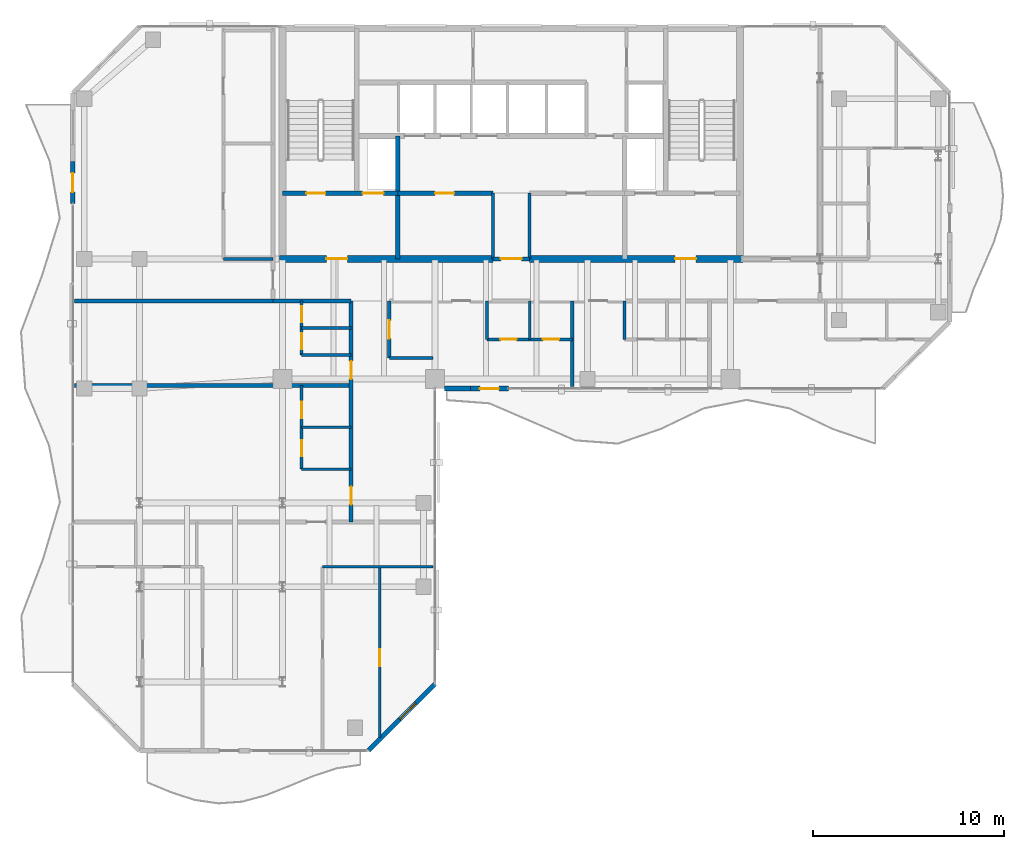
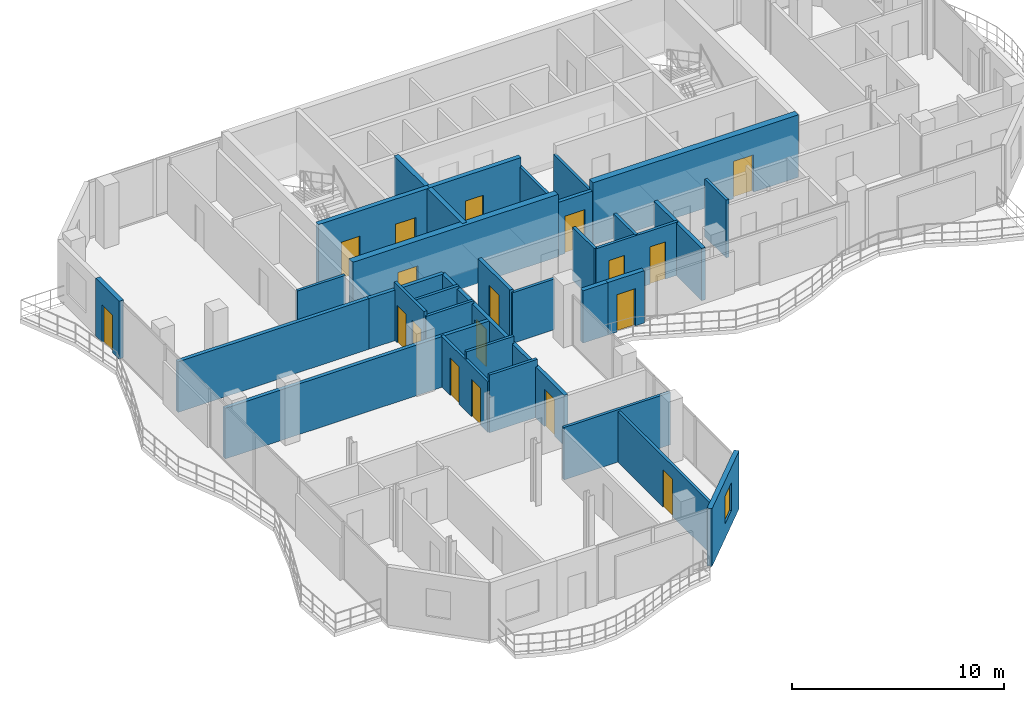
# One storey, part 18 of 23: 32 walls, 18 doors, 1 window, 19 openings.
"""IFC4 building model written with IfcOpenShell, lengths in metres."""

from ifc_helpers import new_model, si_unit, direction, frame, frame_2d, origin, place, context, subcontext, project, spatial, rectangle, extrude, material, layer, layer_set, type_object, element, fill, save


model = new_model("IFC4")

# Units and contexts
model_context = context("Model", 3, precision=1e-05, world=origin(), true_north=direction((0.0, 1.0)))
body_context = subcontext(model_context, "Body", "Model", "MODEL_VIEW")
ifc_project = project(units=[si_unit("LENGTHUNIT", "METRE"), si_unit("AREAUNIT", "SQUARE_METRE"), si_unit("VOLUMEUNIT", "CUBIC_METRE"), si_unit("PLANEANGLEUNIT", "RADIAN"), si_unit("MASSUNIT", "GRAM", prefix="KILO")], contexts=[model_context])

# Site, building, storey
site_placement = place(None, origin())
site = spatial("IfcSite", under=ifc_project, at=site_placement, CompositionType="ELEMENT")
building_placement = place(site_placement, origin())
building = spatial("IfcBuilding", under=site, at=building_placement, Name="Catumbela Crestline Tower", CompositionType="ELEMENT")
storey_placement = place(building_placement, frame((0.0, 0.0, 179.4)))
storey = spatial("IfcBuildingStorey", under=building, at=storey_placement, Name="L46", CompositionType="ELEMENT", Elevation=179.4)

# Wall
ifc_material_1 = material(Name="Concrete C50/60", Category="concrete")
ifc_layer_1 = layer(ifc_material_1, 0.25, Name="Concrete C50/60")
ifc_layer_set_1 = layer_set([ifc_layer_1], Name="Concrete C50/60")
wall_type_1 = type_object("IfcWallType", Name="CW-250D", PredefinedType="SHEAR", material=ifc_layer_set_1)
wall_1_placement = place(storey_placement, frame((22.05, 30.8, 0.0), z_axis=(0.0, 0.0, 1.0), x_axis=(0.0, 1.0, 0.0)))
element("IfcWall", 1, at=wall_1_placement, inside=storey, type_object=wall_type_1, Name="L46 Structural Core Shear Wall FFW", PredefinedType="SHEAR", context=body_context, shape_type="SweptSolid", body=[
    extrude(rectangle(XDim=6.45, YDim=0.25, at=frame_2d((3.225, 0.0))), origin(), (0.0, 0.0, 1.0), 3.6),
])

# Wall, openings, doors
wall_2_placement = place(storey_placement, frame((16.0, 34.25, 0.0), z_axis=(0.0, 0.0, 1.0), x_axis=(1.0, 0.0, 0.0)))
wall_2 = element("IfcWall", 2, at=wall_2_placement, inside=storey, type_object=wall_type_1, Name="L46 Structural Core Shear Wall ST1S", PredefinedType="SHEAR", context=body_context, shape_type="SweptSolid", body=[
    extrude(rectangle(XDim=6.05, YDim=0.25, at=frame_2d((3.025, 0.0))), origin(), (0.0, 0.0, 1.0), 3.6),
])
opening_1_placement = place(wall_2_placement, frame((1.25, 0.0, 0.0)))
opening_1 = element("IfcOpeningElement", 3, at=opening_1_placement, cuts=wall_2, Name="Opening DF9-100", PredefinedType="OPENING", context=body_context, shape_type="SweptSolid", body=[
    extrude(rectangle(XDim=1.0, YDim=2.15, at=frame_2d((0.5, 1.075))), frame((0.0, 0.135, 0.0), z_axis=(0.0, -1.0, 0.0), x_axis=(1.0, 0.0, 0.0)), (0.0, 0.0, 1.0), 0.27),
])
opening_2_placement = place(wall_2_placement, frame((4.2, 0.0, 0.0)))
opening_2 = element("IfcOpeningElement", 4, at=opening_2_placement, cuts=wall_2, Name="Opening LD-110", PredefinedType="OPENING", context=body_context, shape_type="SweptSolid", body=[
    extrude(rectangle(XDim=1.1, YDim=2.15, at=frame_2d((0.55, 1.075))), frame((0.0, 0.135, 0.0), z_axis=(0.0, -1.0, 0.0), x_axis=(1.0, 0.0, 0.0)), (0.0, 0.0, 1.0), 0.27),
])
ifc_material_2 = material(Name="Stainless steel EN 1.4401", Category="steel")
door_type_1 = type_object("IfcDoorType", Name="DF9-100", OperationType="NOTDEFINED", PredefinedType="DOOR", material=ifc_material_2)
door_1_placement = place(opening_1_placement, origin())
door_1 = element("IfcDoor", 5, at=door_1_placement, inside=storey, type_object=door_type_1, Name="L46 Interior Door DR-L46-ST01", OperationType="SINGLE_SWING_LEFT", OverallHeight=2.15, OverallWidth=1.0, PredefinedType="DOOR", context=body_context, shape_type="SweptSolid", body=[
    extrude(rectangle(XDim=1.0, YDim=2.15, at=frame_2d((0.5, 1.075))), frame((0.0, 0.025, 0.0), z_axis=(0.0, -1.0, 0.0), x_axis=(1.0, 0.0, 0.0)), (0.0, 0.0, 1.0), 0.05),
])
fill(opening_1, door_1)
door_type_2 = type_object("IfcDoorType", Name="LD-110", OperationType="NOTDEFINED", PredefinedType="DOOR", material=ifc_material_2)
door_2_placement = place(opening_2_placement, origin())
door_2 = element("IfcDoor", 6, at=door_2_placement, inside=storey, type_object=door_type_2, Name="L46 Lift Landing Sliding Door FL-01", OperationType="DOUBLE_DOOR_SLIDING", OverallHeight=2.15, OverallWidth=1.1, PredefinedType="DOOR", context=body_context, shape_type="SweptSolid", body=[
    extrude(rectangle(XDim=1.1, YDim=2.15, at=frame_2d((0.55, 1.075))), frame((0.0, 0.025, 0.0), z_axis=(0.0, -1.0, 0.0), x_axis=(1.0, 0.0, 0.0)), (0.0, 0.0, 1.0), 0.05),
])
fill(opening_2, door_2)

# Wall, opening, door
wall_3_placement = place(storey_placement, frame((22.05, 34.25, 0.0), z_axis=(0.0, 0.0, 1.0), x_axis=(1.0, 0.0, 0.0)))
wall_3 = element("IfcWall", 7, at=wall_3_placement, inside=storey, type_object=wall_type_1, Name="L46 Structural Core Shear Wall LIFTS-W", PredefinedType="SHEAR", context=body_context, shape_type="SweptSolid", body=[
    extrude(rectangle(XDim=5.0, YDim=0.25, at=frame_2d((2.5, 0.0))), origin(), (0.0, 0.0, 1.0), 3.6),
])
opening_3_placement = place(wall_3_placement, frame((1.95, 0.0, 0.0)))
opening_3 = element("IfcOpeningElement", 8, at=opening_3_placement, cuts=wall_3, Name="Opening DF9-100", PredefinedType="OPENING", context=body_context, shape_type="SweptSolid", body=[
    extrude(rectangle(XDim=1.0, YDim=2.15, at=frame_2d((0.5, 1.075))), frame((0.0, 0.135, 0.0), z_axis=(0.0, -1.0, 0.0), x_axis=(1.0, 0.0, 0.0)), (0.0, 0.0, 1.0), 0.27),
])
door_3_placement = place(opening_3_placement, origin())
door_3 = element("IfcDoor", 9, at=door_3_placement, inside=storey, type_object=door_type_1, Name="L46 Interior Door DR-L46-RECL1", OperationType="SINGLE_SWING_LEFT", OverallHeight=2.15, OverallWidth=1.0, PredefinedType="DOOR", context=body_context, shape_type="SweptSolid", body=[
    extrude(rectangle(XDim=1.0, YDim=2.15, at=frame_2d((0.5, 1.075))), frame((0.0, 0.025, 0.0), z_axis=(0.0, -1.0, 0.0), x_axis=(1.0, 0.0, 0.0)), (0.0, 0.0, 1.0), 0.05),
])
fill(opening_3, door_3)

ifc_layer_2 = layer(ifc_material_1, 0.35, Name="Concrete C50/60")
ifc_layer_set_2 = layer_set([ifc_layer_2], Name="Concrete C50/60")
wall_type_2 = type_object("IfcWallType", Name="CW-350B", PredefinedType="SHEAR", material=ifc_layer_set_2)
wall_4_placement = place(storey_placement, frame((15.85, 30.8, 0.0), z_axis=(0.0, 0.0, 1.0), x_axis=(1.0, 0.0, 0.0)))
wall_4 = element("IfcWall", 10, at=wall_4_placement, inside=storey, type_object=wall_type_2, Name="L46 Structural Core Shear Wall SW", PredefinedType="SHEAR", context=body_context, shape_type="SweptSolid", body=[
    extrude(rectangle(XDim=11.2, YDim=0.35, at=frame_2d((5.6, 0.0))), origin(), (0.0, 0.0, 1.0), 3.6),
])
opening_4_placement = place(wall_4_placement, frame((2.45, 0.0, 0.0)))
opening_4 = element("IfcOpeningElement", 11, at=opening_4_placement, cuts=wall_4, Name="Opening DF9-110", PredefinedType="OPENING", context=body_context, shape_type="SweptSolid", body=[
    extrude(rectangle(XDim=1.1, YDim=2.15, at=frame_2d((0.55, 1.075))), frame((0.0, 0.185, 0.0), z_axis=(0.0, -1.0, 0.0), x_axis=(1.0, 0.0, 0.0)), (0.0, 0.0, 1.0), 0.37),
])
door_type_3 = type_object("IfcDoorType", Name="DF9-110", OperationType="NOTDEFINED", PredefinedType="DOOR", material=ifc_material_2)
door_4_placement = place(opening_4_placement, origin())
door_4 = element("IfcDoor", 12, at=door_4_placement, inside=storey, type_object=door_type_3, Name="L46 Interior Door DR-L46-FFW-S", OperationType="SINGLE_SWING_LEFT", OverallHeight=2.15, OverallWidth=1.1, PredefinedType="DOOR", context=body_context, shape_type="SweptSolid", body=[
    extrude(rectangle(XDim=1.1, YDim=2.15, at=frame_2d((0.55, 1.075))), frame((0.0, 0.025, 0.0), z_axis=(0.0, -1.0, 0.0), x_axis=(1.0, 0.0, 0.0)), (0.0, 0.0, 1.0), 0.05),
])
fill(opening_4, door_4)

wall_5_placement = place(storey_placement, frame((28.95, 30.8, 0.0), z_axis=(0.0, 0.0, 1.0), x_axis=(1.0, 0.0, 0.0)))
wall_5 = element("IfcWall", 13, at=wall_5_placement, inside=storey, type_object=wall_type_2, Name="L46 Structural Core Shear Wall SE", PredefinedType="SHEAR", context=body_context, shape_type="SweptSolid", body=[
    extrude(rectangle(XDim=11.2, YDim=0.35, at=frame_2d((5.6, 0.0))), origin(), (0.0, 0.0, 1.0), 3.6),
])
opening_5_placement = place(wall_5_placement, frame((7.65, 0.0, 0.0)))
opening_5 = element("IfcOpeningElement", 14, at=opening_5_placement, cuts=wall_5, Name="Opening DF9-110", PredefinedType="OPENING", context=body_context, shape_type="SweptSolid", body=[
    extrude(rectangle(XDim=1.1, YDim=2.15, at=frame_2d((0.55, 1.075))), frame((0.0, 0.185, 0.0), z_axis=(0.0, -1.0, 0.0), x_axis=(1.0, 0.0, 0.0)), (0.0, 0.0, 1.0), 0.37),
])
door_5_placement = place(opening_5_placement, origin())
door_5 = element("IfcDoor", 15, at=door_5_placement, inside=storey, type_object=door_type_3, Name="L46 Interior Door DR-L46-FFE-S", OperationType="SINGLE_SWING_RIGHT", OverallHeight=2.15, OverallWidth=1.1, PredefinedType="DOOR", context=body_context, shape_type="SweptSolid", body=[
    extrude(rectangle(XDim=1.1, YDim=2.15, at=frame_2d((0.55, 1.075))), frame((0.0, 0.025, 0.0), z_axis=(0.0, -1.0, 0.0), x_axis=(1.0, 0.0, 0.0)), (0.0, 0.0, 1.0), 0.05),
])
fill(opening_5, door_5)

ifc_material_3 = material(Name="Acoustic gypsum and mineral-wool partition")
ifc_layer_3 = layer(ifc_material_3, 0.2, Name="Acoustic gypsum and mineral-wool partition")
ifc_layer_set_3 = layer_set([ifc_layer_3], Name="Acoustic gypsum and mineral-wool partition")
wall_type_3 = type_object("IfcWallType", Name="WC-200", PredefinedType="PARTITIONING", material=ifc_layer_set_3)
wall_6_placement = place(storey_placement, frame((27.05, 30.8, 0.0), z_axis=(0.0, 0.0, 1.0), x_axis=(1.0, 0.0, 0.0)))
wall_6 = element("IfcWall", 16, at=wall_6_placement, inside=storey, type_object=wall_type_3, Name="L46 Interior Partition PW-L46-CLOBS", PredefinedType="PARTITIONING", context=body_context, shape_type="SweptSolid", body=[
    extrude(rectangle(XDim=1.9, YDim=0.2, at=frame_2d((0.95, 0.0))), origin(), (0.0, 0.0, 1.0), 3.07),
])
opening_6_placement = place(wall_6_placement, frame((0.4, 0.0, 0.0)))
opening_6 = element("IfcOpeningElement", 17, at=opening_6_placement, cuts=wall_6, Name="Opening DF9-110", PredefinedType="OPENING", context=body_context, shape_type="SweptSolid", body=[
    extrude(rectangle(XDim=1.1, YDim=2.15, at=frame_2d((0.55, 1.075))), frame((0.0, 0.11, 0.0), z_axis=(0.0, -1.0, 0.0), x_axis=(1.0, 0.0, 0.0)), (0.0, 0.0, 1.0), 0.22),
])
door_6_placement = place(opening_6_placement, origin())
door_6 = element("IfcDoor", 18, at=door_6_placement, inside=storey, type_object=door_type_3, Name="L46 Interior Door DR-L46-CLOBS", OperationType="SINGLE_SWING_LEFT", OverallHeight=2.15, OverallWidth=1.1, PredefinedType="DOOR", context=body_context, shape_type="SweptSolid", body=[
    extrude(rectangle(XDim=1.1, YDim=2.15, at=frame_2d((0.55, 1.075))), frame((0.0, 0.025, 0.0), z_axis=(0.0, -1.0, 0.0), x_axis=(1.0, 0.0, 0.0)), (0.0, 0.0, 1.0), 0.05),
])
fill(opening_6, door_6)

# Wall
wall_7_placement = place(storey_placement, frame((15.5, 28.6, 0.0), z_axis=(0.0, 0.0, 1.0), x_axis=(1.0, 0.0, 0.0)))
element("IfcWall", 19, at=wall_7_placement, inside=storey, type_object=wall_type_3, Name="L46 Interior Partition PW-L46-RCWL", PredefinedType="PARTITIONING", context=body_context, shape_type="SweptSolid", body=[
    extrude(rectangle(XDim=4.1, YDim=0.2, at=frame_2d((2.05, 0.0))), origin(), (0.0, 0.0, 1.0), 2.92),
])

# Wall, openings, doors
wall_8_placement = place(storey_placement, frame((19.6, 17.0, 0.0), z_axis=(0.0, 0.0, 1.0), x_axis=(0.0, 1.0, 0.0)))
wall_8 = element("IfcWall", 20, at=wall_8_placement, inside=storey, type_object=wall_type_3, Name="L46 Interior Partition PW-L46-WL1-ENT", PredefinedType="PARTITIONING", context=body_context, shape_type="SweptSolid", body=[
    extrude(rectangle(XDim=11.6, YDim=0.2, at=frame_2d((5.8, 0.0))), origin(), (0.0, 0.0, 1.0), 2.92),
])
opening_7_placement = place(wall_8_placement, frame((7.493, 0.0, 0.0)))
opening_7 = element("IfcOpeningElement", 21, at=opening_7_placement, cuts=wall_8, Name="Opening DF6-095", PredefinedType="OPENING", context=body_context, shape_type="SweptSolid", body=[
    extrude(rectangle(XDim=0.95, YDim=2.15, at=frame_2d((0.475, 1.075))), frame((0.0, 0.11, 0.0), z_axis=(0.0, -1.0, 0.0), x_axis=(1.0, 0.0, 0.0)), (0.0, 0.0, 1.0), 0.22),
])
opening_8_placement = place(wall_8_placement, frame((0.909, 0.0, 0.0)))
opening_8 = element("IfcOpeningElement", 22, at=opening_8_placement, cuts=wall_8, Name="Opening DF6-095", PredefinedType="OPENING", context=body_context, shape_type="SweptSolid", body=[
    extrude(rectangle(XDim=0.95, YDim=2.15, at=frame_2d((0.475, 1.075))), frame((0.0, 0.11, 0.0), z_axis=(0.0, -1.0, 0.0), x_axis=(1.0, 0.0, 0.0)), (0.0, 0.0, 1.0), 0.22),
])
ifc_material_4 = material(Name="Aluminium alloy AW-6060-T66", Category="aluminium")
door_type_4 = type_object("IfcDoorType", Name="DF6-095", OperationType="NOTDEFINED", PredefinedType="DOOR", material=ifc_material_4)
door_7_placement = place(opening_7_placement, origin())
door_7 = element("IfcDoor", 23, at=door_7_placement, inside=storey, type_object=door_type_4, Name="L46 Interior Door DR-L46-WL1-ENT", OperationType="SINGLE_SWING_LEFT", OverallHeight=2.15, OverallWidth=0.95, PredefinedType="DOOR", context=body_context, shape_type="SweptSolid", body=[
    extrude(rectangle(XDim=0.95, YDim=2.15, at=frame_2d((0.475, 1.075))), frame((0.0, 0.025, 0.0), z_axis=(0.0, -1.0, 0.0), x_axis=(1.0, 0.0, 0.0)), (0.0, 0.0, 1.0), 0.05),
])
fill(opening_7, door_7)
door_8_placement = place(opening_8_placement, origin())
door_8 = element("IfcDoor", 24, at=door_8_placement, inside=storey, type_object=door_type_4, Name="L46 Interior Door DR-L46-WL2-ENT", OperationType="SINGLE_SWING_RIGHT", OverallHeight=2.15, OverallWidth=0.95, PredefinedType="DOOR", context=body_context, shape_type="SweptSolid", body=[
    extrude(rectangle(XDim=0.95, YDim=2.15, at=frame_2d((0.475, 1.075))), frame((0.0, 0.025, 0.0), z_axis=(0.0, -1.0, 0.0), x_axis=(1.0, 0.0, 0.0)), (0.0, 0.0, 1.0), 0.05),
])
fill(opening_8, door_8)

# Wall, opening, door
wall_9_placement = place(storey_placement, frame((21.6, 25.6, 0.0), z_axis=(0.0, 0.0, 1.0), x_axis=(0.0, 1.0, 0.0)))
wall_9 = element("IfcWall", 25, at=wall_9_placement, inside=storey, type_object=wall_type_3, Name="L46 Interior Partition PW-L46-RWAM-ENT", PredefinedType="PARTITIONING", context=body_context, shape_type="SweptSolid", body=[
    extrude(rectangle(XDim=3.0, YDim=0.2, at=frame_2d((1.5, 0.0))), origin(), (0.0, 0.0, 1.0), 3.07),
])
opening_9_placement = place(wall_9_placement, frame((1.025, 0.0, 0.0)))
opening_9 = element("IfcOpeningElement", 26, at=opening_9_placement, cuts=wall_9, Name="Opening DF6-095", PredefinedType="OPENING", context=body_context, shape_type="SweptSolid", body=[
    extrude(rectangle(XDim=0.95, YDim=2.15, at=frame_2d((0.475, 1.075))), frame((0.0, 0.11, 0.0), z_axis=(0.0, -1.0, 0.0), x_axis=(1.0, 0.0, 0.0)), (0.0, 0.0, 1.0), 0.22),
])
door_9_placement = place(opening_9_placement, origin())
door_9 = element("IfcDoor", 27, at=door_9_placement, inside=storey, type_object=door_type_4, Name="L46 Interior Door DR-L46-RWAM-ENT", OperationType="SINGLE_SWING_RIGHT", OverallHeight=2.15, OverallWidth=0.95, PredefinedType="DOOR", context=body_context, shape_type="SweptSolid", body=[
    extrude(rectangle(XDim=0.95, YDim=2.15, at=frame_2d((0.475, 1.075))), frame((0.0, 0.025, 0.0), z_axis=(0.0, -1.0, 0.0), x_axis=(1.0, 0.0, 0.0)), (0.0, 0.0, 1.0), 0.05),
])
fill(opening_9, door_9)

# Wall, opening, window
ifc_material_5 = material(Name="Angolan grey-ochre granite", Category="masonry")
ifc_layer_4 = layer(ifc_material_5, 0.25, Name="Angolan grey-ochre granite")
ifc_layer_set_4 = layer_set([ifc_layer_4], Name="Angolan grey-ochre granite")
wall_type_4 = type_object("IfcWallType", Name="WE-250", PredefinedType="STANDARD", material=ifc_layer_set_4)
wall_10_placement = place(storey_placement, frame((20.5, 5.0, 0.0), z_axis=(0.0, 0.0, 1.0), x_axis=(0.707106781187, 0.707106781187, 0.0)))
wall_10 = element("IfcWall", 28, at=wall_10_placement, inside=storey, type_object=wall_type_4, Name="L46 Granite Punched Window Wall 1-1", PredefinedType="STANDARD", context=body_context, shape_type="SweptSolid", body=[
    extrude(rectangle(XDim=4.9497, YDim=0.25, at=frame_2d((2.4748, 0.0))), origin(), (0.0, 0.0, 1.0), 3.33),
])
opening_10_placement = place(wall_10_placement, frame((2.3245, 0.0, 0.85)))
opening_10 = element("IfcOpeningElement", 29, at=opening_10_placement, cuts=wall_10, Name="Opening WN-02", PredefinedType="OPENING", context=body_context, shape_type="SweptSolid", body=[
    extrude(rectangle(XDim=1.2, YDim=1.6, at=frame_2d((0.6, 0.8))), frame((0.0, 0.135, 0.0), z_axis=(0.0, -1.0, 0.0), x_axis=(1.0, 0.0, 0.0)), (0.0, 0.0, 1.0), 0.27),
])
ifc_material_6 = material(Name="Low-E laminated solar-control double glazing", Category="glass")
window_type = type_object("IfcWindowType", Name="WO-1200", PartitioningType="SINGLE_PANEL", PredefinedType="WINDOW", material=ifc_material_6)
window_placement = place(opening_10_placement, origin())
window = element("IfcWindow", 30, at=window_placement, inside=storey, type_object=window_type, Name="L46 Facade Vision Window 286", OverallHeight=1.6, OverallWidth=1.2, PartitioningType="SINGLE_PANEL", PredefinedType="WINDOW", context=body_context, shape_type="SweptSolid", body=[
    extrude(rectangle(XDim=1.2, YDim=1.6, at=frame_2d((0.6, 0.8))), frame((0.0, 0.03, 0.0), z_axis=(0.0, -1.0, 0.0), x_axis=(1.0, 0.0, 0.0)), (0.0, 0.0, 1.0), 0.06),
])
fill(opening_10, window)

# Wall, opening, door
wall_11_placement = place(storey_placement, frame((25.85, 24.0, 0.0), z_axis=(0.0, 0.0, 1.0), x_axis=(1.0, 0.0, 0.0)))
wall_11 = element("IfcWall", 31, at=wall_11_placement, inside=storey, type_object=wall_type_4, Name="L46 Exterior Threshold Portal Wall DR-L46-WBAL-1", PredefinedType="STANDARD", context=body_context, shape_type="SweptSolid", body=[
    extrude(rectangle(XDim=2.0, YDim=0.25, at=frame_2d((1.0, 0.0))), origin(), (0.0, 0.0, 1.0), 3.02),
])
opening_11_placement = place(wall_11_placement, frame((0.5, 0.0, 0.0)))
opening_11 = element("IfcOpeningElement", 32, at=opening_11_placement, cuts=wall_11, Name="Opening DB-L46-1", PredefinedType="OPENING", context=body_context, shape_type="SweptSolid", body=[
    extrude(rectangle(XDim=1.0, YDim=2.15, at=frame_2d((0.5, 1.075))), frame((0.0, 0.135, 0.0), z_axis=(0.0, -1.0, 0.0), x_axis=(1.0, 0.0, 0.0)), (0.0, 0.0, 1.0), 0.27),
])
door_type_5 = type_object("IfcDoorType", Name="DB-1000", OperationType="NOTDEFINED", PredefinedType="DOOR", material=ifc_material_4)
door_10_placement = place(opening_11_placement, origin())
door_10 = element("IfcDoor", 33, at=door_10_placement, inside=storey, type_object=door_type_5, Name="L46 Wave Balcony Terrace Door 1", OperationType="SINGLE_SWING_RIGHT", OverallHeight=2.15, OverallWidth=1.0, PredefinedType="DOOR", context=body_context, shape_type="SweptSolid", body=[
    extrude(rectangle(XDim=1.0, YDim=2.15, at=frame_2d((0.5, 1.075))), frame((0.0, 0.025, 0.0), z_axis=(0.0, -1.0, 0.0), x_axis=(1.0, 0.0, 0.0)), (0.0, 0.0, 1.0), 0.05),
])
fill(opening_11, door_10)

# Wall
wall_12_placement = place(storey_placement, frame((24.5, 24.0, 0.0), z_axis=(0.0, 0.0, 1.0), x_axis=(1.0, 0.0, 0.0)))
element("IfcWall", 34, at=wall_12_placement, inside=storey, type_object=wall_type_4, Name="L46 Granite Punched Window Wall 3-1", PredefinedType="STANDARD", context=body_context, shape_type="SweptSolid", body=[
    extrude(rectangle(XDim=1.35, YDim=0.25, at=frame_2d((0.675, 0.0))), origin(), (0.0, 0.0, 1.0), 3.02),
])

# Wall, opening, door
wall_13_placement = place(storey_placement, frame((5.0, 35.9, 0.0), z_axis=(0.0, 0.0, 1.0), x_axis=(0.0, -1.0, 0.0)))
wall_13 = element("IfcWall", 35, at=wall_13_placement, inside=storey, type_object=wall_type_4, Name="L46 Exterior Threshold Portal Wall DR-L46-WBAL-4", PredefinedType="STANDARD", context=body_context, shape_type="SweptSolid", body=[
    extrude(rectangle(XDim=2.2, YDim=0.25, at=frame_2d((1.1, 0.0))), origin(), (0.0, 0.0, 1.0), 3.33),
])
opening_12_placement = place(wall_13_placement, frame((0.6, 0.0, 0.0)))
opening_12 = element("IfcOpeningElement", 36, at=opening_12_placement, cuts=wall_13, Name="Opening DB-L46-4", PredefinedType="OPENING", context=body_context, shape_type="SweptSolid", body=[
    extrude(rectangle(XDim=1.0, YDim=2.15, at=frame_2d((0.5, 1.075))), frame((0.0, 0.135, 0.0), z_axis=(0.0, -1.0, 0.0), x_axis=(1.0, 0.0, 0.0)), (0.0, 0.0, 1.0), 0.27),
])
door_11_placement = place(opening_12_placement, origin())
door_11 = element("IfcDoor", 37, at=door_11_placement, inside=storey, type_object=door_type_5, Name="L46 Wave Balcony Terrace Door 4", OperationType="SINGLE_SWING_LEFT", OverallHeight=2.15, OverallWidth=1.0, PredefinedType="DOOR", context=body_context, shape_type="SweptSolid", body=[
    extrude(rectangle(XDim=1.0, YDim=2.15, at=frame_2d((0.5, 1.075))), frame((0.0, 0.025, 0.0), z_axis=(0.0, -1.0, 0.0), x_axis=(1.0, 0.0, 0.0)), (0.0, 0.0, 1.0), 0.05),
])
fill(opening_12, door_11)

# Walls
ifc_layer_5 = layer(ifc_material_3, 0.15, Name="Acoustic gypsum and mineral-wool partition")
ifc_layer_set_5 = layer_set([ifc_layer_5], Name="Acoustic gypsum and mineral-wool partition")
wall_type_5 = type_object("IfcWallType", Name="WP-150", PredefinedType="PARTITIONING", material=ifc_layer_set_5)
wall_14_placement = place(storey_placement, frame((12.9, 30.8, 0.0), z_axis=(0.0, 0.0, 1.0), x_axis=(1.0, 0.0, 0.0)))
element("IfcWall", 38, at=wall_14_placement, inside=storey, type_object=wall_type_5, Name="L46 Interior Partition PW-L46-NW1-KBS", PredefinedType="PARTITIONING", context=body_context, shape_type="SweptSolid", body=[
    extrude(rectangle(XDim=2.6, YDim=0.15, at=frame_2d((1.3, 0.0))), origin(), (0.0, 0.0, 1.0), 2.92),
])
for number, where, z_axis, x_axis, name in (
    (39, (26.736, 26.576, 0.0), (0.0, 0.0, 1.0), (0.0, 1.0, 0.0), "L46 Interior Partition PW-L46-S1-KBW"),
    (40, (28.968, 26.576, 0.0), (0.0, 0.0, 1.0), (0.0, 1.0, 0.0), "L46 Interior Partition PW-L46-S1-KBM"),
):
    element("IfcWall", number, at=place(storey_placement, frame(where, z_axis=z_axis, x_axis=x_axis)), inside=storey, type_object=wall_type_5, Name=name, PredefinedType="PARTITIONING", context=body_context, shape_type="SweptSolid", body=[
        extrude(rectangle(XDim=2.024, YDim=0.15, at=frame_2d((1.012, 0.0))), origin(), (0.0, 0.0, 1.0), 3.07),
    ])

# Wall, openings, doors
wall_15_placement = place(storey_placement, frame((26.736, 26.576, 0.0), z_axis=(0.0, 0.0, 1.0), x_axis=(1.0, 0.0, 0.0)))
wall_15 = element("IfcWall", 41, at=wall_15_placement, inside=storey, type_object=wall_type_5, Name="L46 Interior Partition PW-L46-S1-KBD1", PredefinedType="PARTITIONING", context=body_context, shape_type="SweptSolid", body=[
    extrude(rectangle(XDim=4.464, YDim=0.15, at=frame_2d((2.232, 0.0))), origin(), (0.0, 0.0, 1.0), 3.07),
])
opening_13_placement = place(wall_15_placement, frame((0.691, 0.0, 0.0)))
opening_13 = element("IfcOpeningElement", 42, at=opening_13_placement, cuts=wall_15, Name="Opening DI-085", PredefinedType="OPENING", context=body_context, shape_type="SweptSolid", body=[
    extrude(rectangle(XDim=0.85, YDim=2.15, at=frame_2d((0.425, 1.075))), frame((0.0, 0.085, 0.0), z_axis=(0.0, -1.0, 0.0), x_axis=(1.0, 0.0, 0.0)), (0.0, 0.0, 1.0), 0.17),
])
opening_14_placement = place(wall_15_placement, frame((2.923, 0.0, 0.0)))
opening_14 = element("IfcOpeningElement", 43, at=opening_14_placement, cuts=wall_15, Name="Opening DI-085", PredefinedType="OPENING", context=body_context, shape_type="SweptSolid", body=[
    extrude(rectangle(XDim=0.85, YDim=2.15, at=frame_2d((0.425, 1.075))), frame((0.0, 0.085, 0.0), z_axis=(0.0, -1.0, 0.0), x_axis=(1.0, 0.0, 0.0)), (0.0, 0.0, 1.0), 0.17),
])
door_type_6 = type_object("IfcDoorType", Name="DI-085", OperationType="NOTDEFINED", PredefinedType="DOOR", material=ifc_material_4)
door_12_placement = place(opening_13_placement, origin())
door_12 = element("IfcDoor", 44, at=door_12_placement, inside=storey, type_object=door_type_6, Name="L46 Interior Door DR-L46-S1-BTH", OperationType="SINGLE_SWING_LEFT", OverallHeight=2.15, OverallWidth=0.85, PredefinedType="DOOR", context=body_context, shape_type="SweptSolid", body=[
    extrude(rectangle(XDim=0.85, YDim=2.15, at=frame_2d((0.425, 1.075))), frame((0.0, 0.025, 0.0), z_axis=(0.0, -1.0, 0.0), x_axis=(1.0, 0.0, 0.0)), (0.0, 0.0, 1.0), 0.05),
])
fill(opening_13, door_12)
door_13_placement = place(opening_14_placement, origin())
door_13 = element("IfcDoor", 45, at=door_13_placement, inside=storey, type_object=door_type_6, Name="L46 Interior Door DR-L46-S1-KIT", OperationType="SINGLE_SWING_RIGHT", OverallHeight=2.15, OverallWidth=0.85, PredefinedType="DOOR", context=body_context, shape_type="SweptSolid", body=[
    extrude(rectangle(XDim=0.85, YDim=2.15, at=frame_2d((0.425, 1.075))), frame((0.0, 0.025, 0.0), z_axis=(0.0, -1.0, 0.0), x_axis=(1.0, 0.0, 0.0)), (0.0, 0.0, 1.0), 0.05),
])
fill(opening_14, door_13)

# Walls
wall_16_placement = place(storey_placement, frame((33.936, 26.576, 0.0), z_axis=(0.0, 0.0, 1.0), x_axis=(0.0, 1.0, 0.0)))
element("IfcWall", 46, at=wall_16_placement, inside=storey, type_object=wall_type_5, Name="L46 Interior Partition PW-L46-S2-KBW", PredefinedType="PARTITIONING", context=body_context, shape_type="SweptSolid", body=[
    extrude(rectangle(XDim=2.024, YDim=0.15, at=frame_2d((1.012, 0.0))), origin(), (0.0, 0.0, 1.0), 3.33),
])
for number, where, z_axis, x_axis, name in (
    (47, (17.0, 25.768, 0.0), (0.0, 0.0, 1.0), (1.0, 0.0, 0.0), "L46 Interior Partition PW-L46-WL1-KBS"),
    (48, (17.0, 27.184, 0.0), (0.0, 0.0, 1.0), (1.0, 0.0, 0.0), "L46 Interior Partition PW-L46-WL1-KBM"),
):
    element("IfcWall", number, at=place(storey_placement, frame(where, z_axis=z_axis, x_axis=x_axis)), inside=storey, type_object=wall_type_5, Name=name, PredefinedType="PARTITIONING", context=body_context, shape_type="SweptSolid", body=[
        extrude(rectangle(XDim=2.6, YDim=0.15, at=frame_2d((1.3, 0.0))), origin(), (0.0, 0.0, 1.0), 3.07),
    ])

# Wall, openings, doors
wall_17_placement = place(storey_placement, frame((17.0, 25.768, 0.0), z_axis=(0.0, 0.0, 1.0), x_axis=(0.0, 1.0, 0.0)))
wall_17 = element("IfcWall", 49, at=wall_17_placement, inside=storey, type_object=wall_type_5, Name="L46 Interior Partition PW-L46-WL1-SK1", PredefinedType="PARTITIONING", context=body_context, shape_type="SweptSolid", body=[
    extrude(rectangle(XDim=2.832, YDim=0.15, at=frame_2d((1.416, 0.0))), origin(), (0.0, 0.0, 1.0), 3.33),
])
opening_15_placement = place(wall_17_placement, frame((0.283, 0.0, 0.0)))
opening_15 = element("IfcOpeningElement", 50, at=opening_15_placement, cuts=wall_17, Name="Opening DI-085", PredefinedType="OPENING", context=body_context, shape_type="SweptSolid", body=[
    extrude(rectangle(XDim=0.85, YDim=2.15, at=frame_2d((0.425, 1.075))), frame((0.0, 0.085, 0.0), z_axis=(0.0, -1.0, 0.0), x_axis=(1.0, 0.0, 0.0)), (0.0, 0.0, 1.0), 0.17),
])
opening_16_placement = place(wall_17_placement, frame((1.699, 0.0, 0.0)))
opening_16 = element("IfcOpeningElement", 51, at=opening_16_placement, cuts=wall_17, Name="Opening DI-085", PredefinedType="OPENING", context=body_context, shape_type="SweptSolid", body=[
    extrude(rectangle(XDim=0.85, YDim=2.15, at=frame_2d((0.425, 1.075))), frame((0.0, 0.085, 0.0), z_axis=(0.0, -1.0, 0.0), x_axis=(1.0, 0.0, 0.0)), (0.0, 0.0, 1.0), 0.17),
])
door_14_placement = place(opening_15_placement, origin())
door_14 = element("IfcDoor", 52, at=door_14_placement, inside=storey, type_object=door_type_6, Name="L46 Interior Door DR-L46-WL1-KIT", OperationType="SINGLE_SWING_LEFT", OverallHeight=2.15, OverallWidth=0.85, PredefinedType="DOOR", context=body_context, shape_type="SweptSolid", body=[
    extrude(rectangle(XDim=0.85, YDim=2.15, at=frame_2d((0.425, 1.075))), frame((0.0, 0.025, 0.0), z_axis=(0.0, -1.0, 0.0), x_axis=(1.0, 0.0, 0.0)), (0.0, 0.0, 1.0), 0.05),
])
fill(opening_15, door_14)
door_15_placement = place(opening_16_placement, origin())
door_15 = element("IfcDoor", 53, at=door_15_placement, inside=storey, type_object=door_type_6, Name="L46 Interior Door DR-L46-WL1-BTH", OperationType="SINGLE_SWING_RIGHT", OverallHeight=2.15, OverallWidth=0.85, PredefinedType="DOOR", context=body_context, shape_type="SweptSolid", body=[
    extrude(rectangle(XDim=0.85, YDim=2.15, at=frame_2d((0.425, 1.075))), frame((0.0, 0.025, 0.0), z_axis=(0.0, -1.0, 0.0), x_axis=(1.0, 0.0, 0.0)), (0.0, 0.0, 1.0), 0.05),
])
fill(opening_16, door_15)

# Walls
for number, where, z_axis, x_axis, name in (
    (54, (17.0, 19.768, 0.0), (0.0, 0.0, 1.0), (1.0, 0.0, 0.0), "L46 Interior Partition PW-L46-WL2-KBS"),
    (55, (17.0, 21.968, 0.0), (0.0, 0.0, 1.0), (1.0, 0.0, 0.0), "L46 Interior Partition PW-L46-WL2-KBM"),
):
    element("IfcWall", number, at=place(storey_placement, frame(where, z_axis=z_axis, x_axis=x_axis)), inside=storey, type_object=wall_type_5, Name=name, PredefinedType="PARTITIONING", context=body_context, shape_type="SweptSolid", body=[
        extrude(rectangle(XDim=2.6, YDim=0.15, at=frame_2d((1.3, 0.0))), origin(), (0.0, 0.0, 1.0), 3.33),
    ])

# Wall, openings, doors
wall_18_placement = place(storey_placement, frame((17.0, 19.768, 0.0), z_axis=(0.0, 0.0, 1.0), x_axis=(0.0, 1.0, 0.0)))
wall_18 = element("IfcWall", 56, at=wall_18_placement, inside=storey, type_object=wall_type_5, Name="L46 Interior Partition PW-L46-WL2-SK1", PredefinedType="PARTITIONING", context=body_context, shape_type="SweptSolid", body=[
    extrude(rectangle(XDim=4.4, YDim=0.15, at=frame_2d((2.2, 0.0))), origin(), (0.0, 0.0, 1.0), 2.92),
])
opening_17_placement = place(wall_18_placement, frame((0.675, 0.0, 0.0)))
opening_17 = element("IfcOpeningElement", 57, at=opening_17_placement, cuts=wall_18, Name="Opening DI-085", PredefinedType="OPENING", context=body_context, shape_type="SweptSolid", body=[
    extrude(rectangle(XDim=0.85, YDim=2.15, at=frame_2d((0.425, 1.075))), frame((0.0, 0.085, 0.0), z_axis=(0.0, -1.0, 0.0), x_axis=(1.0, 0.0, 0.0)), (0.0, 0.0, 1.0), 0.17),
])
opening_18_placement = place(wall_18_placement, frame((2.6767, 0.0, 0.0)))
opening_18 = element("IfcOpeningElement", 58, at=opening_18_placement, cuts=wall_18, Name="Opening DI-085", PredefinedType="OPENING", context=body_context, shape_type="SweptSolid", body=[
    extrude(rectangle(XDim=0.85, YDim=2.15, at=frame_2d((0.425, 1.075))), frame((0.0, 0.085, 0.0), z_axis=(0.0, -1.0, 0.0), x_axis=(1.0, 0.0, 0.0)), (0.0, 0.0, 1.0), 0.17),
])
door_16_placement = place(opening_17_placement, origin())
door_16 = element("IfcDoor", 59, at=door_16_placement, inside=storey, type_object=door_type_6, Name="L46 Interior Door DR-L46-WL2-KIT", OperationType="SINGLE_SWING_LEFT", OverallHeight=2.15, OverallWidth=0.85, PredefinedType="DOOR", context=body_context, shape_type="SweptSolid", body=[
    extrude(rectangle(XDim=0.85, YDim=2.15, at=frame_2d((0.425, 1.075))), frame((0.0, 0.025, 0.0), z_axis=(0.0, -1.0, 0.0), x_axis=(1.0, 0.0, 0.0)), (0.0, 0.0, 1.0), 0.05),
])
fill(opening_17, door_16)
door_17_placement = place(opening_18_placement, origin())
door_17 = element("IfcDoor", 60, at=door_17_placement, inside=storey, type_object=door_type_6, Name="L46 Interior Door DR-L46-WL2-BTH", OperationType="SINGLE_SWING_LEFT", OverallHeight=2.15, OverallWidth=0.85, PredefinedType="DOOR", context=body_context, shape_type="SweptSolid", body=[
    extrude(rectangle(XDim=0.85, YDim=2.15, at=frame_2d((0.425, 1.075))), frame((0.0, 0.025, 0.0), z_axis=(0.0, -1.0, 0.0), x_axis=(1.0, 0.0, 0.0)), (0.0, 0.0, 1.0), 0.05),
])
fill(opening_18, door_17)

# Walls
wall_19_placement = place(storey_placement, frame((21.6, 25.6, 0.0), z_axis=(0.0, 0.0, 1.0), x_axis=(1.0, 0.0, 0.0)))
element("IfcWall", 61, at=wall_19_placement, inside=storey, type_object=wall_type_5, Name="L46 Interior Partition PW-L46-RWRP", PredefinedType="PARTITIONING", context=body_context, shape_type="SweptSolid", body=[
    extrude(rectangle(XDim=2.3, YDim=0.15, at=frame_2d((1.15, 0.0))), origin(), (0.0, 0.0, 1.0), 2.92),
])
wall_20_placement = place(storey_placement, frame((18.1, 14.65, 0.0), z_axis=(0.0, 0.0, 1.0), x_axis=(1.0, 0.0, 0.0)))
element("IfcWall", 62, at=wall_20_placement, inside=storey, type_object=wall_type_5, Name="L46 Interior Partition PW-L46-SH1-BDRH", PredefinedType="PARTITIONING", context=body_context, shape_type="SweptSolid", body=[
    extrude(rectangle(XDim=5.8, YDim=0.15, at=frame_2d((2.9, 0.0))), origin(), (0.0, 0.0, 1.0), 3.02),
])

# Wall, opening, door
wall_21_placement = place(storey_placement, frame((21.1, 5.7, 0.0), z_axis=(0.0, 0.0, 1.0), x_axis=(0.0, 1.0, 0.0)))
wall_21 = element("IfcWall", 63, at=wall_21_placement, inside=storey, type_object=wall_type_5, Name="L46 Interior Partition PW-L46-SH1-BDR", PredefinedType="PARTITIONING", context=body_context, shape_type="SweptSolid", body=[
    extrude(rectangle(XDim=8.95, YDim=0.15, at=frame_2d((4.475, 0.0))), origin(), (0.0, 0.0, 1.0), 2.92),
])
opening_19_placement = place(wall_21_placement, frame((3.725, 0.0, 0.0)))
opening_19 = element("IfcOpeningElement", 64, at=opening_19_placement, cuts=wall_21, Name="Opening DI-090", PredefinedType="OPENING", context=body_context, shape_type="SweptSolid", body=[
    extrude(rectangle(XDim=0.9, YDim=2.15, at=frame_2d((0.45, 1.075))), frame((0.0, 0.085, 0.0), z_axis=(0.0, -1.0, 0.0), x_axis=(1.0, 0.0, 0.0)), (0.0, 0.0, 1.0), 0.17),
])
door_type_7 = type_object("IfcDoorType", Name="DI-090", OperationType="NOTDEFINED", PredefinedType="DOOR", material=ifc_material_4)
door_18_placement = place(opening_19_placement, origin())
door_18 = element("IfcDoor", 65, at=door_18_placement, inside=storey, type_object=door_type_7, Name="L46 Interior Door DR-L46-SH1-BD2", OperationType="SINGLE_SWING_RIGHT", OverallHeight=2.15, OverallWidth=0.9, PredefinedType="DOOR", context=body_context, shape_type="SweptSolid", body=[
    extrude(rectangle(XDim=0.9, YDim=2.15, at=frame_2d((0.45, 1.075))), frame((0.0, 0.025, 0.0), z_axis=(0.0, -1.0, 0.0), x_axis=(1.0, 0.0, 0.0)), (0.0, 0.0, 1.0), 0.05),
])
fill(opening_19, door_18)

# Walls
ifc_layer_6 = layer(ifc_material_3, 0.2, Name="Acoustic gypsum and mineral-wool partition")
ifc_layer_set_6 = layer_set([ifc_layer_6], Name="Acoustic gypsum and mineral-wool partition")
wall_type_6 = type_object("IfcWallType", Name="WY-200", PredefinedType="PARTITIONING", material=ifc_layer_set_6)
wall_22_placement = place(storey_placement, frame((5.1, 28.6, 0.0), z_axis=(0.0, 0.0, 1.0), x_axis=(1.0, 0.0, 0.0)))
element("IfcWall", 66, at=wall_22_placement, inside=storey, type_object=wall_type_6, Name="L46 Interior Partition PW-L46-RCWNW", PredefinedType="PARTITIONING", context=body_context, shape_type="SweptSolid", body=[
    extrude(rectangle(XDim=10.4, YDim=0.2, at=frame_2d((5.2, 0.0))), origin(), (0.0, 0.0, 1.0), 2.92),
])
wall_23_placement = place(storey_placement, frame((31.2, 24.1, 0.0), z_axis=(0.0, 0.0, 1.0), x_axis=(0.0, 1.0, 0.0)))
element("IfcWall", 67, at=wall_23_placement, inside=storey, type_object=wall_type_6, Name="L46 Interior Partition PW-L46-RSPP-2", PredefinedType="PARTITIONING", context=body_context, shape_type="SweptSolid", body=[
    extrude(rectangle(XDim=4.5, YDim=0.2, at=frame_2d((2.25, 0.0))), origin(), (0.0, 0.0, 1.0), 3.02),
])
wall_24_placement = place(storey_placement, frame((5.1, 24.168, 0.0), z_axis=(0.0, 0.0, 1.0), x_axis=(1.0, 0.0, 0.0)))
element("IfcWall", 68, at=wall_24_placement, inside=storey, type_object=wall_type_6, Name="L46 Interior Partition PW-L46-RWLP", PredefinedType="PARTITIONING", context=body_context, shape_type="SweptSolid", body=[
    extrude(rectangle(XDim=14.5, YDim=0.2, at=frame_2d((7.25, 0.0))), origin(), (0.0, 0.0, 1.0), 2.92),
])
ifc_layer_7 = layer(ifc_material_3, 0.15, Name="Acoustic gypsum and mineral-wool partition")
ifc_layer_set_7 = layer_set([ifc_layer_7], Name="Acoustic gypsum and mineral-wool partition")
wall_type_7 = type_object("IfcWallType", Name="WS-150", PredefinedType="PLUMBINGWALL", material=ifc_layer_set_7)
for number, where, z_axis, x_axis, name in (
    (69, (27.05, 30.8, 0.0), (0.0, 0.0, 1.0), (0.0, 1.0, 0.0), "L46 Interior Partition PW-L46-THRW"),
    (70, (28.95, 30.8, 0.0), (0.0, 0.0, 1.0), (0.0, 1.0, 0.0), "L46 Interior Partition PW-L46-THRE"),
):
    element("IfcWall", number, at=place(storey_placement, frame(where, z_axis=z_axis, x_axis=x_axis)), inside=storey, type_object=wall_type_7, Name=name, PredefinedType="PLUMBINGWALL", context=body_context, shape_type="SweptSolid", body=[
        extrude(rectangle(XDim=3.45, YDim=0.15, at=frame_2d((1.725, 0.0))), origin(), (0.0, 0.0, 1.0), 3.07),
    ])

save(model, "model.ifc")
